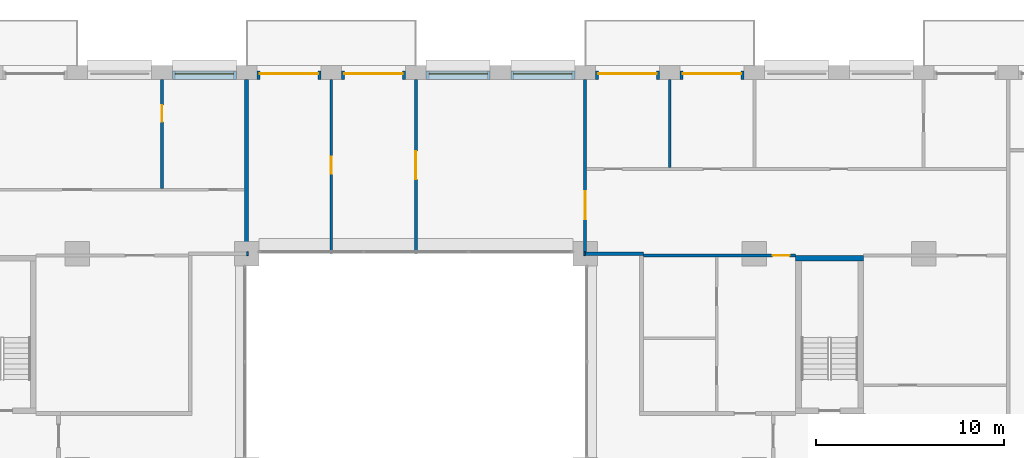
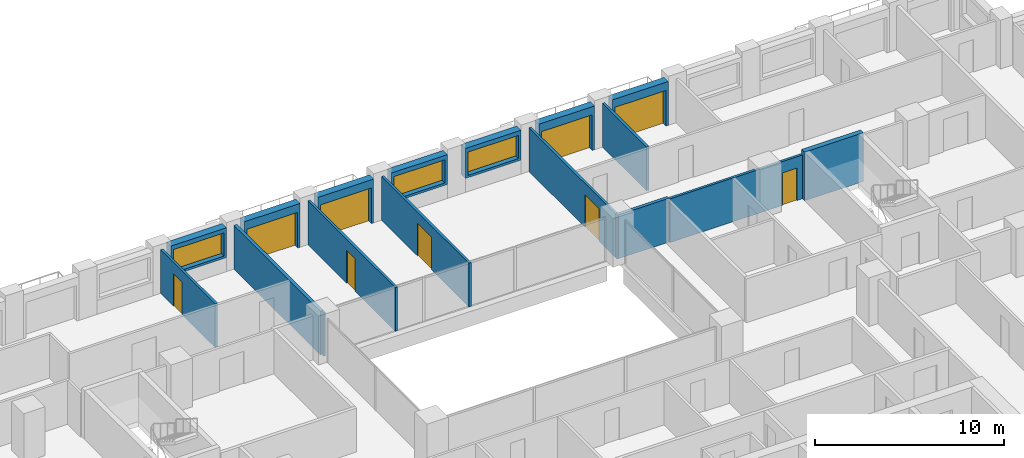
# One storey, part 13 of 16: 18 walls, 9 doors, 3 windows, 12 openings.
"""IFC4 building model written with IfcOpenShell, lengths in metres."""

from ifc_helpers import new_model, si_unit, direction, frame, frame_2d, origin, place, context, subcontext, project, spatial, rectangle, extrude, material, layer, layer_set, type_object, element, fill, save


model = new_model("IFC4")

# Units and contexts
model_context = context("Model", 3, precision=1e-05, world=origin(), true_north=direction((0.0, 1.0)))
body_context = subcontext(model_context, "Body", "Model", "MODEL_VIEW")
ifc_project = project(units=[si_unit("LENGTHUNIT", "METRE"), si_unit("AREAUNIT", "SQUARE_METRE"), si_unit("VOLUMEUNIT", "CUBIC_METRE"), si_unit("PLANEANGLEUNIT", "RADIAN"), si_unit("MASSUNIT", "GRAM", prefix="KILO")], contexts=[model_context])

# Site, building, storey
site_placement = place(None, origin())
site = spatial("IfcSite", under=ifc_project, at=site_placement, CompositionType="ELEMENT")
building_placement = place(site_placement, origin())
building = spatial("IfcBuilding", under=site, at=building_placement, Name="Brigalow Station Residences", CompositionType="ELEMENT")
storey_placement = place(building_placement, frame((0.0, 0.0, 121.35009765625)))
storey = spatial("IfcBuildingStorey", under=building, at=storey_placement, Name="L35", CompositionType="ELEMENT", Elevation=121.35009765625)

# Wall, opening, door
ifc_material_1 = material(Name="Clay brick masonry", Category="masonry")
ifc_layer_1 = layer(ifc_material_1, 0.449951171875)
ifc_layer_set_1 = layer_set([ifc_layer_1], Name="BRICK INFILL WALL 450")
wall_type_1 = type_object("IfcWallType", Name="BRICK INFILL WALL 450", PredefinedType="SOLIDWALL", material=ifc_layer_set_1)
wall_1_placement = place(storey_placement, frame((53.449951171875, 44.97509765625, 0.0), z_axis=(0.0, 0.0, 1.0), x_axis=(-1.0, 0.0, 0.0)))
wall_1 = element("IfcWall", 1, at=wall_1_placement, inside=storey, type_object=wall_type_1, Name="L35/ewall/W-L35-27", PredefinedType="SOLIDWALL", context=body_context, shape_type="SweptSolid", body=[
    extrude(rectangle(XDim=3.39990234375, YDim=0.449951171875, at=frame_2d((1.699951171875, 0.0))), origin(), (0.0, 0.0, 1.0), 2.829833984375),
])
opening_1_placement = place(wall_1_placement, frame((0.14990234375, 0.0, 0.0)))
opening_1 = element("IfcOpeningElement", 2, at=opening_1_placement, cuts=wall_1, Name="Opening D-B3100", PredefinedType="OPENING", context=body_context, shape_type="SweptSolid", body=[
    extrude(rectangle(XDim=3.10009765625, YDim=2.300048828125, at=frame_2d((1.550048828125, 1.14990234375))), frame((0.0, 0.23486328125, 0.0), z_axis=(0.0, -1.0, 0.0), x_axis=(1.0, 0.0, 0.0)), (0.0, 0.0, 1.0), 0.469970703125),
])
ifc_material_2 = material(Name="Anodised aluminium frame with double glazing", Category="aluminium")
door_type_1 = type_object("IfcDoorType", Name="BALCONY SLIDING DOOR 3100x2300", OperationType="SLIDING_TO_LEFT", PredefinedType="DOOR", material=ifc_material_2)
door_1_placement = place(opening_1_placement, origin())
door_1 = element("IfcDoor", 3, at=door_1_placement, inside=storey, type_object=door_type_1, Name="L35/balcony-door/W-L35-27", OperationType="SLIDING_TO_LEFT", OverallHeight=2.300048828125, OverallWidth=3.10009765625, PredefinedType="DOOR", context=body_context, shape_type="SweptSolid", body=[
    extrude(rectangle(XDim=3.10009765625, YDim=2.300048828125, at=frame_2d((1.550048828125, 1.14990234375))), frame((0.0, -0.06982421875, 0.0), z_axis=(0.0, -1.0, 0.0), x_axis=(1.0, 0.0, 0.0)), (0.0, 0.0, 1.0), 0.050048828125),
])
fill(opening_1, door_1)

wall_2_placement = place(storey_placement, frame((48.949951171875, 44.97509765625, 0.0), z_axis=(0.0, 0.0, 1.0), x_axis=(-1.0, 0.0, 0.0)))
wall_2 = element("IfcWall", 4, at=wall_2_placement, inside=storey, type_object=wall_type_1, Name="L35/ewall/W-L35-28", PredefinedType="SOLIDWALL", context=body_context, shape_type="SweptSolid", body=[
    extrude(rectangle(XDim=3.39990234375, YDim=0.449951171875, at=frame_2d((1.699951171875, 0.0))), origin(), (0.0, 0.0, 1.0), 2.829833984375),
])
opening_2_placement = place(wall_2_placement, frame((0.14990234375, 0.0, 0.0)))
opening_2 = element("IfcOpeningElement", 5, at=opening_2_placement, cuts=wall_2, Name="Opening D-B3100", PredefinedType="OPENING", context=body_context, shape_type="SweptSolid", body=[
    extrude(rectangle(XDim=3.10009765625, YDim=2.300048828125, at=frame_2d((1.550048828125, 1.14990234375))), frame((0.0, 0.23486328125, 0.0), z_axis=(0.0, -1.0, 0.0), x_axis=(1.0, 0.0, 0.0)), (0.0, 0.0, 1.0), 0.469970703125),
])
door_2_placement = place(opening_2_placement, origin())
door_2 = element("IfcDoor", 6, at=door_2_placement, inside=storey, type_object=door_type_1, Name="L35/balcony-door/W-L35-28", OperationType="SLIDING_TO_LEFT", OverallHeight=2.300048828125, OverallWidth=3.10009765625, PredefinedType="DOOR", context=body_context, shape_type="SweptSolid", body=[
    extrude(rectangle(XDim=3.10009765625, YDim=2.300048828125, at=frame_2d((1.550048828125, 1.14990234375))), frame((0.0, -0.06982421875, 0.0), z_axis=(0.0, -1.0, 0.0), x_axis=(1.0, 0.0, 0.0)), (0.0, 0.0, 1.0), 0.050048828125),
])
fill(opening_2, door_2)

# Wall, opening, window
wall_3_placement = place(storey_placement, frame((44.449951171875, 44.97509765625, 0.89990234375), z_axis=(0.0, 0.0, 1.0), x_axis=(-1.0, 0.0, 0.0)))
wall_3 = element("IfcWall", 7, at=wall_3_placement, inside=storey, type_object=wall_type_1, Name="L35/ewall/W-L35-29", PredefinedType="SOLIDWALL", context=body_context, shape_type="SweptSolid", body=[
    extrude(rectangle(XDim=3.39990234375, YDim=0.449951171875, at=frame_2d((1.699951171875, 0.0))), origin(), (0.0, 0.0, 1.0), 1.929931640625),
])
opening_3_placement = place(wall_3_placement, frame((0.14990234375, 0.0, 0.14990234375)))
opening_3 = element("IfcOpeningElement", 8, at=opening_3_placement, cuts=wall_3, Name="Opening WT-8", PredefinedType="OPENING", context=body_context, shape_type="SweptSolid", body=[
    extrude(rectangle(XDim=3.10009765625, YDim=1.5, at=frame_2d((1.550048828125, 0.75))), frame((0.0, 0.23486328125, 0.0), z_axis=(0.0, -1.0, 0.0), x_axis=(1.0, 0.0, 0.0)), (0.0, 0.0, 1.0), 0.469970703125),
])
ifc_material_3 = material(Name="Anodised aluminium frame with double glazing", Category="aluminium")
window_type = type_object("IfcWindowType", Name="WINDOW 3100x1500", PartitioningType="SINGLE_PANEL", PredefinedType="WINDOW", material=ifc_material_3)
window_1_placement = place(opening_3_placement, origin())
window_1 = element("IfcWindow", 9, at=window_1_placement, inside=storey, type_object=window_type, Name="L35/window/W-L35-29", OverallHeight=1.5, OverallWidth=3.10009765625, PartitioningType="SINGLE_PANEL", PredefinedType="WINDOW", context=body_context, shape_type="SweptSolid", body=[
    extrude(rectangle(XDim=3.10009765625, YDim=1.5, at=frame_2d((1.550048828125, 0.75))), frame((0.0, -0.06494140625, 0.0), z_axis=(0.0, -1.0, 0.0), x_axis=(1.0, 0.0, 0.0)), (0.0, 0.0, 1.0), 0.06005859375),
])
fill(opening_3, window_1)

wall_4_placement = place(storey_placement, frame((39.949951171875, 44.97509765625, 0.89990234375), z_axis=(0.0, 0.0, 1.0), x_axis=(-1.0, 0.0, 0.0)))
wall_4 = element("IfcWall", 10, at=wall_4_placement, inside=storey, type_object=wall_type_1, Name="L35/ewall/W-L35-30", PredefinedType="SOLIDWALL", context=body_context, shape_type="SweptSolid", body=[
    extrude(rectangle(XDim=3.39990234375, YDim=0.449951171875, at=frame_2d((1.699951171875, 0.0))), origin(), (0.0, 0.0, 1.0), 1.929931640625),
])
opening_4_placement = place(wall_4_placement, frame((0.14990234375, 0.0, 0.14990234375)))
opening_4 = element("IfcOpeningElement", 11, at=opening_4_placement, cuts=wall_4, Name="Opening WT-8", PredefinedType="OPENING", context=body_context, shape_type="SweptSolid", body=[
    extrude(rectangle(XDim=3.10009765625, YDim=1.5, at=frame_2d((1.550048828125, 0.75))), frame((0.0, 0.23486328125, 0.0), z_axis=(0.0, -1.0, 0.0), x_axis=(1.0, 0.0, 0.0)), (0.0, 0.0, 1.0), 0.469970703125),
])
window_2_placement = place(opening_4_placement, origin())
window_2 = element("IfcWindow", 12, at=window_2_placement, inside=storey, type_object=window_type, Name="L35/window/W-L35-30", OverallHeight=1.5, OverallWidth=3.10009765625, PartitioningType="SINGLE_PANEL", PredefinedType="WINDOW", context=body_context, shape_type="SweptSolid", body=[
    extrude(rectangle(XDim=3.10009765625, YDim=1.5, at=frame_2d((1.550048828125, 0.75))), frame((0.0, -0.06494140625, 0.0), z_axis=(0.0, -1.0, 0.0), x_axis=(1.0, 0.0, 0.0)), (0.0, 0.0, 1.0), 0.06005859375),
])
fill(opening_4, window_2)

# Wall, opening, door
wall_5_placement = place(storey_placement, frame((35.449951171875, 44.97509765625, 0.0), z_axis=(0.0, 0.0, 1.0), x_axis=(-1.0, 0.0, 0.0)))
wall_5 = element("IfcWall", 13, at=wall_5_placement, inside=storey, type_object=wall_type_1, Name="L35/ewall/W-L35-31", PredefinedType="SOLIDWALL", context=body_context, shape_type="SweptSolid", body=[
    extrude(rectangle(XDim=3.39990234375, YDim=0.449951171875, at=frame_2d((1.699951171875, 0.0))), origin(), (0.0, 0.0, 1.0), 2.829833984375),
])
opening_5_placement = place(wall_5_placement, frame((0.14990234375, 0.0, 0.0)))
opening_5 = element("IfcOpeningElement", 14, at=opening_5_placement, cuts=wall_5, Name="Opening D-B3100", PredefinedType="OPENING", context=body_context, shape_type="SweptSolid", body=[
    extrude(rectangle(XDim=3.10009765625, YDim=2.300048828125, at=frame_2d((1.550048828125, 1.14990234375))), frame((0.0, 0.23486328125, 0.0), z_axis=(0.0, -1.0, 0.0), x_axis=(1.0, 0.0, 0.0)), (0.0, 0.0, 1.0), 0.469970703125),
])
door_3_placement = place(opening_5_placement, origin())
door_3 = element("IfcDoor", 15, at=door_3_placement, inside=storey, type_object=door_type_1, Name="L35/balcony-door/W-L35-31", OperationType="SLIDING_TO_LEFT", OverallHeight=2.300048828125, OverallWidth=3.10009765625, PredefinedType="DOOR", context=body_context, shape_type="SweptSolid", body=[
    extrude(rectangle(XDim=3.10009765625, YDim=2.300048828125, at=frame_2d((1.550048828125, 1.14990234375))), frame((0.0, -0.06982421875, 0.0), z_axis=(0.0, -1.0, 0.0), x_axis=(1.0, 0.0, 0.0)), (0.0, 0.0, 1.0), 0.050048828125),
])
fill(opening_5, door_3)

wall_6_placement = place(storey_placement, frame((30.949951171875, 44.97509765625, 0.0), z_axis=(0.0, 0.0, 1.0), x_axis=(-1.0, 0.0, 0.0)))
wall_6 = element("IfcWall", 16, at=wall_6_placement, inside=storey, type_object=wall_type_1, Name="L35/ewall/W-L35-32", PredefinedType="SOLIDWALL", context=body_context, shape_type="SweptSolid", body=[
    extrude(rectangle(XDim=3.39990234375, YDim=0.449951171875, at=frame_2d((1.699951171875, 0.0))), origin(), (0.0, 0.0, 1.0), 2.829833984375),
])
opening_6_placement = place(wall_6_placement, frame((0.14990234375, 0.0, 0.0)))
opening_6 = element("IfcOpeningElement", 17, at=opening_6_placement, cuts=wall_6, Name="Opening D-B3100", PredefinedType="OPENING", context=body_context, shape_type="SweptSolid", body=[
    extrude(rectangle(XDim=3.10009765625, YDim=2.300048828125, at=frame_2d((1.550048828125, 1.14990234375))), frame((0.0, 0.23486328125, 0.0), z_axis=(0.0, -1.0, 0.0), x_axis=(1.0, 0.0, 0.0)), (0.0, 0.0, 1.0), 0.469970703125),
])
door_4_placement = place(opening_6_placement, origin())
door_4 = element("IfcDoor", 18, at=door_4_placement, inside=storey, type_object=door_type_1, Name="L35/balcony-door/W-L35-32", OperationType="SLIDING_TO_LEFT", OverallHeight=2.300048828125, OverallWidth=3.10009765625, PredefinedType="DOOR", context=body_context, shape_type="SweptSolid", body=[
    extrude(rectangle(XDim=3.10009765625, YDim=2.300048828125, at=frame_2d((1.550048828125, 1.14990234375))), frame((0.0, -0.06982421875, 0.0), z_axis=(0.0, -1.0, 0.0), x_axis=(1.0, 0.0, 0.0)), (0.0, 0.0, 1.0), 0.050048828125),
])
fill(opening_6, door_4)

# Wall, opening, window
wall_7_placement = place(storey_placement, frame((26.449951171875, 44.97509765625, 0.89990234375), z_axis=(0.0, 0.0, 1.0), x_axis=(-1.0, 0.0, 0.0)))
wall_7 = element("IfcWall", 19, at=wall_7_placement, inside=storey, type_object=wall_type_1, Name="L35/ewall/W-L35-33", PredefinedType="SOLIDWALL", context=body_context, shape_type="SweptSolid", body=[
    extrude(rectangle(XDim=3.39990234375, YDim=0.449951171875, at=frame_2d((1.699951171875, 0.0))), origin(), (0.0, 0.0, 1.0), 1.929931640625),
])
opening_7_placement = place(wall_7_placement, frame((0.14990234375, 0.0, 0.14990234375)))
opening_7 = element("IfcOpeningElement", 20, at=opening_7_placement, cuts=wall_7, Name="Opening WT-8", PredefinedType="OPENING", context=body_context, shape_type="SweptSolid", body=[
    extrude(rectangle(XDim=3.10009765625, YDim=1.5, at=frame_2d((1.550048828125, 0.75))), frame((0.0, 0.23486328125, 0.0), z_axis=(0.0, -1.0, 0.0), x_axis=(1.0, 0.0, 0.0)), (0.0, 0.0, 1.0), 0.469970703125),
])
window_3_placement = place(opening_7_placement, origin())
window_3 = element("IfcWindow", 21, at=window_3_placement, inside=storey, type_object=window_type, Name="L35/window/W-L35-33", OverallHeight=1.5, OverallWidth=3.10009765625, PartitioningType="SINGLE_PANEL", PredefinedType="WINDOW", context=body_context, shape_type="SweptSolid", body=[
    extrude(rectangle(XDim=3.10009765625, YDim=1.5, at=frame_2d((1.550048828125, 0.75))), frame((0.0, -0.06494140625, 0.0), z_axis=(0.0, -1.0, 0.0), x_axis=(1.0, 0.0, 0.0)), (0.0, 0.0, 1.0), 0.06005859375),
])
fill(opening_7, window_3)

# Wall
ifc_material_4 = material(Name="Concrete C65", Category="concrete")
ifc_layer_2 = layer(ifc_material_4, 0.300048828125)
ifc_layer_set_2 = layer_set([ifc_layer_2], Name="CORE SHEAR WALL 300 C65")
wall_type_2 = type_object("IfcWallType", Name="CORE SHEAR WALL 300 C65", PredefinedType="SHEAR", material=ifc_layer_set_2)
wall_8_placement = place(storey_placement, frame((56.199951171875, 35.25, 0.0), z_axis=(0.0, 0.0, 1.0), x_axis=(1.0, 0.0, 0.0)))
element("IfcWall", 22, at=wall_8_placement, inside=storey, type_object=wall_type_2, Name="CORE WALL ST-S3-N L35", PredefinedType="SHEAR", context=body_context, shape_type="SweptSolid", body=[
    extrude(rectangle(XDim=3.60009765625, YDim=0.300048828125, at=frame_2d((1.800048828125, 0.0))), origin(), (0.0, 0.0, 1.0), 3.14990234375),
])

# Wall, opening, door
ifc_material_5 = material(Name="Plasterboard on steel stud partition", Category="steel")
ifc_layer_3 = layer(ifc_material_5, 0.14990234375)
ifc_layer_set_3 = layer_set([ifc_layer_3], Name="FLAT PARTITION 150")
wall_type_3 = type_object("IfcWallType", Name="FLAT PARTITION 150", PredefinedType="PARTITIONING", material=ifc_layer_set_3)
wall_9_placement = place(storey_placement, frame((48.10009765625, 35.39990234375, 0.0), z_axis=(0.0, 0.0, 1.0), x_axis=(1.0, 0.0, 0.0)))
wall_9 = element("IfcWall", 23, at=wall_9_placement, inside=storey, type_object=wall_type_3, Name="PW-2E28", PredefinedType="PARTITIONING", context=body_context, shape_type="SweptSolid", body=[
    extrude(rectangle(XDim=8.099853515625, YDim=0.14990234375, at=frame_2d((4.0498046875, 0.0))), origin(), (0.0, 0.0, 1.0), 2.829833984375),
])
opening_8_placement = place(wall_9_placement, frame((6.875, 0.0, 0.0)))
opening_8 = element("IfcOpeningElement", 24, at=opening_8_placement, cuts=wall_9, Name="Opening D-2E20", PredefinedType="OPENING", context=body_context, shape_type="SweptSolid", body=[
    extrude(rectangle(XDim=0.89990234375, YDim=2.10009765625, at=frame_2d((0.449951171875, 1.050048828125))), frame((0.0, 0.0849609375, 0.0), z_axis=(0.0, -1.0, 0.0), x_axis=(1.0, 0.0, 0.0)), (0.0, 0.0, 1.0), 0.169921875),
])
ifc_material_6 = material(Name="Solid-core timber door leaf", Category="wood")
door_type_2 = type_object("IfcDoorType", Name="INTERNAL DOOR 900 x 2100", OperationType="SINGLE_SWING_LEFT", PredefinedType="DOOR", material=ifc_material_6)
door_5_placement = place(opening_8_placement, frame((0.89990234375, 0.0, 0.0), z_axis=(0.0, 0.0, 1.0), x_axis=(-1.0, 0.0, 0.0)))
door_5 = element("IfcDoor", 25, at=door_5_placement, inside=storey, type_object=door_type_2, Name="D-2E20", OperationType="SINGLE_SWING_LEFT", OverallHeight=2.10009765625, OverallWidth=0.89990234375, PredefinedType="DOOR", context=body_context, shape_type="SweptSolid", body=[
    extrude(rectangle(XDim=0.89990234375, YDim=2.10009765625, at=frame_2d((0.449951171875, 1.050048828125))), frame((0.0, 0.02490234375, 0.0), z_axis=(0.0, -1.0, 0.0), x_axis=(1.0, 0.0, 0.0)), (0.0, 0.0, 1.0), 0.050048828125),
])
fill(opening_8, door_5)

wall_10_placement = place(storey_placement, frame((22.5, 38.97509765625, 0.0), z_axis=(0.0, 0.0, 1.0), x_axis=(0.0, 1.0, 0.0)))
wall_10 = element("IfcWall", 26, at=wall_10_placement, inside=storey, type_object=wall_type_3, Name="PW-2E49", PredefinedType="PARTITIONING", context=body_context, shape_type="SweptSolid", body=[
    extrude(rectangle(XDim=5.77490234375, YDim=0.14990234375, at=frame_2d((2.887451171875, 0.0))), origin(), (0.0, 0.0, 1.0), 2.829833984375),
])
opening_9_placement = place(wall_10_placement, frame((3.52490234375, 0.0, 0.0)))
opening_9 = element("IfcOpeningElement", 27, at=opening_9_placement, cuts=wall_10, Name="Opening D-2E14", PredefinedType="OPENING", context=body_context, shape_type="SweptSolid", body=[
    extrude(rectangle(XDim=0.89990234375, YDim=2.10009765625, at=frame_2d((0.449951171875, 1.050048828125))), frame((0.0, 0.0849609375, 0.0), z_axis=(0.0, -1.0, 0.0), x_axis=(1.0, 0.0, 0.0)), (0.0, 0.0, 1.0), 0.169921875),
])
door_6_placement = place(opening_9_placement, frame((0.89990234375, 0.0, 0.0), z_axis=(0.0, 0.0, 1.0), x_axis=(-1.0, 0.0, 0.0)))
door_6 = element("IfcDoor", 28, at=door_6_placement, inside=storey, type_object=door_type_2, Name="D-2E14", OperationType="SINGLE_SWING_LEFT", OverallHeight=2.10009765625, OverallWidth=0.89990234375, PredefinedType="DOOR", context=body_context, shape_type="SweptSolid", body=[
    extrude(rectangle(XDim=0.89990234375, YDim=2.10009765625, at=frame_2d((0.449951171875, 1.050048828125))), frame((0.0, 0.02490234375, 0.0), z_axis=(0.0, -1.0, 0.0), x_axis=(1.0, 0.0, 0.0)), (0.0, 0.0, 1.0), 0.050048828125),
])
fill(opening_9, door_6)

wall_11_placement = place(storey_placement, frame((31.5, 35.5, 0.0), z_axis=(0.0, 0.0, 1.0), x_axis=(0.0, 1.0, 0.0)))
wall_11 = element("IfcWall", 29, at=wall_11_placement, inside=storey, type_object=wall_type_3, Name="PW-2E51", PredefinedType="PARTITIONING", context=body_context, shape_type="SweptSolid", body=[
    extrude(rectangle(XDim=9.25, YDim=0.14990234375, at=frame_2d((4.625, 0.0))), origin(), (0.0, 0.0, 1.0), 2.829833984375),
])
opening_10_placement = place(wall_11_placement, frame((4.25, 0.0, 0.0)))
opening_10 = element("IfcOpeningElement", 30, at=opening_10_placement, cuts=wall_11, Name="Opening D-2E23", PredefinedType="OPENING", context=body_context, shape_type="SweptSolid", body=[
    extrude(rectangle(XDim=0.89990234375, YDim=2.10009765625, at=frame_2d((0.449951171875, 1.050048828125))), frame((0.0, 0.0849609375, 0.0), z_axis=(0.0, -1.0, 0.0), x_axis=(1.0, 0.0, 0.0)), (0.0, 0.0, 1.0), 0.169921875),
])
door_7_placement = place(opening_10_placement, frame((0.89990234375, 0.0, 0.0), z_axis=(0.0, 0.0, 1.0), x_axis=(-1.0, 0.0, 0.0)))
door_7 = element("IfcDoor", 31, at=door_7_placement, inside=storey, type_object=door_type_2, Name="D-2E23", OperationType="SINGLE_SWING_LEFT", OverallHeight=2.10009765625, OverallWidth=0.89990234375, PredefinedType="DOOR", context=body_context, shape_type="SweptSolid", body=[
    extrude(rectangle(XDim=0.89990234375, YDim=2.10009765625, at=frame_2d((0.449951171875, 1.050048828125))), frame((0.0, 0.02490234375, 0.0), z_axis=(0.0, -1.0, 0.0), x_axis=(1.0, 0.0, 0.0)), (0.0, 0.0, 1.0), 0.050048828125),
])
fill(opening_10, door_7)

wall_12_placement = place(storey_placement, frame((36.0, 35.5, 0.0), z_axis=(0.0, 0.0, 1.0), x_axis=(0.0, 1.0, 0.0)))
wall_12 = element("IfcWall", 32, at=wall_12_placement, inside=storey, type_object=wall_type_3, Name="PW-2E52", PredefinedType="PARTITIONING", context=body_context, shape_type="SweptSolid", body=[
    extrude(rectangle(XDim=9.25, YDim=0.14990234375, at=frame_2d((4.625, 0.0))), origin(), (0.0, 0.0, 1.0), 2.829833984375),
])
opening_11_placement = place(wall_12_placement, frame((3.949951171875, 0.0, 0.0)))
opening_11 = element("IfcOpeningElement", 33, at=opening_11_placement, cuts=wall_12, Name="Opening D-2E22", PredefinedType="OPENING", context=body_context, shape_type="SweptSolid", body=[
    extrude(rectangle(XDim=1.5, YDim=2.10009765625, at=frame_2d((0.75, 1.050048828125))), frame((0.0, 0.0849609375, 0.0), z_axis=(0.0, -1.0, 0.0), x_axis=(1.0, 0.0, 0.0)), (0.0, 0.0, 1.0), 0.169921875),
])
ifc_material_7 = material(Name="Solid-core timber door leaf", Category="wood")
door_type_3 = type_object("IfcDoorType", Name="INTERNAL DOUBLE DOOR 1500 x 2100", OperationType="DOUBLE_DOOR_SINGLE_SWING", PredefinedType="DOOR", material=ifc_material_7)
door_8_placement = place(opening_11_placement, origin())
door_8 = element("IfcDoor", 34, at=door_8_placement, inside=storey, type_object=door_type_3, Name="D-2E22", OperationType="DOUBLE_DOOR_SINGLE_SWING", OverallHeight=2.10009765625, OverallWidth=1.5, PredefinedType="DOOR", context=body_context, shape_type="SweptSolid", body=[
    extrude(rectangle(XDim=1.5, YDim=2.10009765625, at=frame_2d((0.75, 1.050048828125))), frame((0.0, 0.02490234375, 0.0), z_axis=(0.0, -1.0, 0.0), x_axis=(1.0, 0.0, 0.0)), (0.0, 0.0, 1.0), 0.050048828125),
])
fill(opening_11, door_8)

wall_13_placement = place(storey_placement, frame((45.0, 35.60009765625, 0.0), z_axis=(0.0, 0.0, 1.0), x_axis=(0.0, 1.0, 0.0)))
wall_13 = element("IfcWall", 35, at=wall_13_placement, inside=storey, type_object=wall_type_3, Name="PW-2E53", PredefinedType="PARTITIONING", context=body_context, shape_type="SweptSolid", body=[
    extrude(rectangle(XDim=9.14990234375, YDim=0.14990234375, at=frame_2d((4.574951171875, 0.0))), origin(), (0.0, 0.0, 1.0), 2.829833984375),
])
opening_12_placement = place(wall_13_placement, frame((1.72509765625, 0.0, 0.0)))
opening_12 = element("IfcOpeningElement", 36, at=opening_12_placement, cuts=wall_13, Name="Opening D-2E21", PredefinedType="OPENING", context=body_context, shape_type="SweptSolid", body=[
    extrude(rectangle(XDim=1.5, YDim=2.10009765625, at=frame_2d((0.75, 1.050048828125))), frame((0.0, 0.0849609375, 0.0), z_axis=(0.0, -1.0, 0.0), x_axis=(1.0, 0.0, 0.0)), (0.0, 0.0, 1.0), 0.169921875),
])
door_9_placement = place(opening_12_placement, origin())
door_9 = element("IfcDoor", 37, at=door_9_placement, inside=storey, type_object=door_type_3, Name="D-2E21", OperationType="DOUBLE_DOOR_SINGLE_SWING", OverallHeight=2.10009765625, OverallWidth=1.5, PredefinedType="DOOR", context=body_context, shape_type="SweptSolid", body=[
    extrude(rectangle(XDim=1.5, YDim=2.10009765625, at=frame_2d((0.75, 1.050048828125))), frame((0.0, 0.02490234375, 0.0), z_axis=(0.0, -1.0, 0.0), x_axis=(1.0, 0.0, 0.0)), (0.0, 0.0, 1.0), 0.050048828125),
])
fill(opening_12, door_9)

# Walls
wall_14_placement = place(storey_placement, frame((49.5, 40.074951171875, 0.0), z_axis=(0.0, 0.0, 1.0), x_axis=(0.0, 1.0, 0.0)))
element("IfcWall", 38, at=wall_14_placement, inside=storey, type_object=wall_type_3, Name="PW-2E58", PredefinedType="PARTITIONING", context=body_context, shape_type="SweptSolid", body=[
    extrude(rectangle(XDim=4.675048828125, YDim=0.14990234375, at=frame_2d((2.33740234375, 0.0))), origin(), (0.0, 0.0, 1.0), 2.829833984375),
])
ifc_material_8 = material(Name="Plasterboard on steel stud partition", Category="steel")
ifc_layer_4 = layer(ifc_material_8, 0.199951171875)
ifc_layer_set_4 = layer_set([ifc_layer_4], Name="PARTY AND CORRIDOR WALL 200")
wall_type_4 = type_object("IfcWallType", Name="PARTY AND CORRIDOR WALL 200", PredefinedType="PARTITIONING", material=ifc_layer_set_4)
wall_15_placement = place(storey_placement, frame((27.0, 35.5, 0.0), z_axis=(0.0, 0.0, 1.0), x_axis=(1.0, 0.0, 0.0)))
element("IfcWall", 39, at=wall_15_placement, inside=storey, type_object=wall_type_4, Name="PW-2E08", PredefinedType="PARTITIONING", context=body_context, shape_type="SweptSolid", body=[
    extrude(rectangle(XDim=0.10009765625, YDim=0.199951171875, at=frame_2d((0.050048828125, 0.0))), origin(), (0.0, 0.0, 1.0), 2.829833984375),
])
wall_16_placement = place(storey_placement, frame((44.925048828125, 35.5, 0.0), z_axis=(0.0, 0.0, 1.0), x_axis=(1.0, 0.0, 0.0)))
element("IfcWall", 40, at=wall_16_placement, inside=storey, type_object=wall_type_4, Name="PW-2E09", PredefinedType="PARTITIONING", context=body_context, shape_type="SweptSolid", body=[
    extrude(rectangle(XDim=0.074951171875, YDim=0.199951171875, at=frame_2d((0.03759765625, 0.0))), origin(), (0.0, 0.0, 1.0), 2.829833984375),
])
wall_17_placement = place(storey_placement, frame((45.0, 35.5, 0.0), z_axis=(0.0, 0.0, 1.0), x_axis=(1.0, 0.0, 0.0)))
element("IfcWall", 41, at=wall_17_placement, inside=storey, type_object=wall_type_4, Name="PW-2E10", PredefinedType="PARTITIONING", context=body_context, shape_type="SweptSolid", body=[
    extrude(rectangle(XDim=3.10009765625, YDim=0.199951171875, at=frame_2d((1.550048828125, 0.0))), origin(), (0.0, 0.0, 1.0), 2.829833984375),
])
wall_18_placement = place(storey_placement, frame((27.0, 35.60009765625, 0.0), z_axis=(0.0, 0.0, 1.0), x_axis=(0.0, 1.0, 0.0)))
element("IfcWall", 42, at=wall_18_placement, inside=storey, type_object=wall_type_4, Name="PW-2E48", PredefinedType="PARTITIONING", context=body_context, shape_type="SweptSolid", body=[
    extrude(rectangle(XDim=9.14990234375, YDim=0.199951171875, at=frame_2d((4.574951171875, 0.0))), origin(), (0.0, 0.0, 1.0), 2.829833984375),
])

save(model, "model.ifc")
